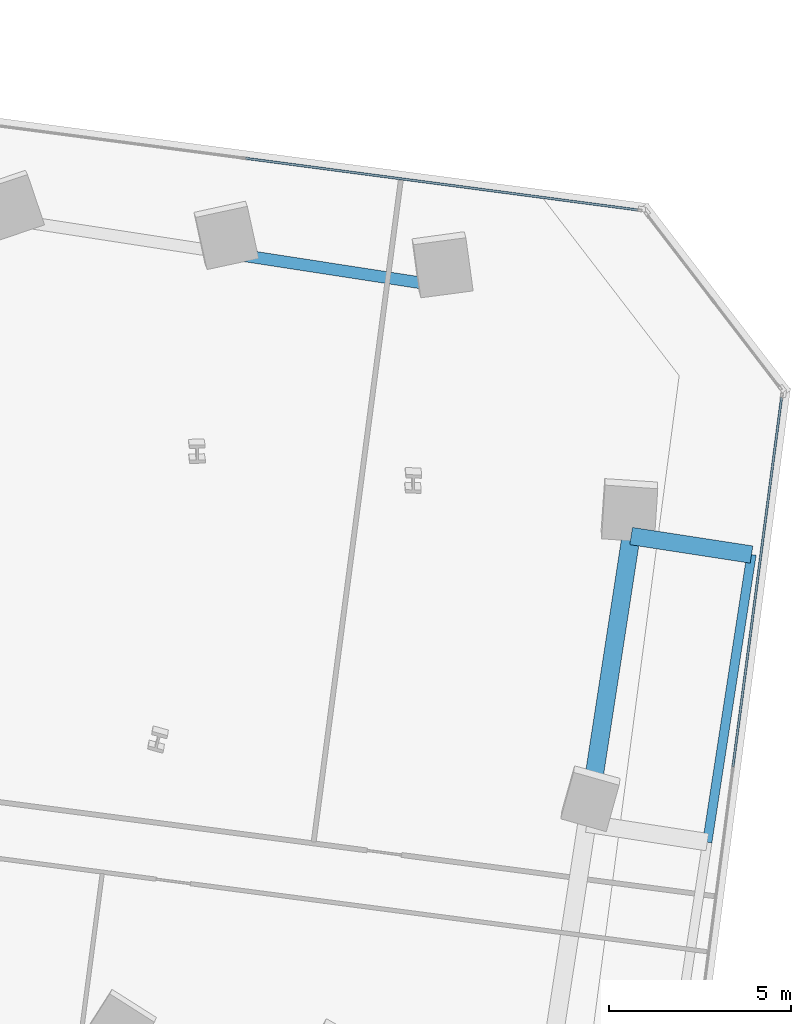
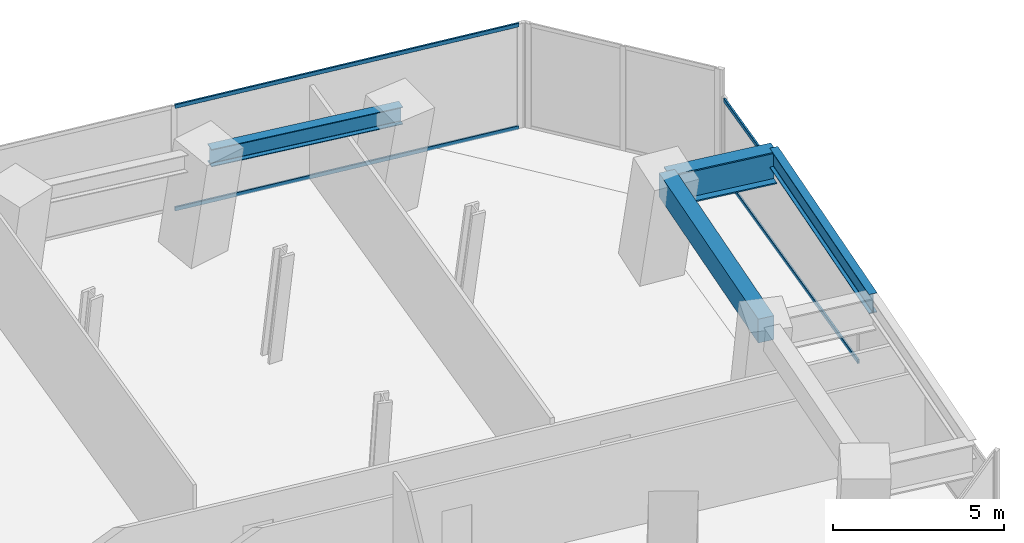
# One storey, part 13 of 24: 4 beams, 4 members, 2 elements without a shape of their own.
"""IFC4 building model written with IfcOpenShell, lengths in metres."""

import ifcopenshell
import ifcopenshell.guid

model = None  # the IFC model being written
_history = None  # IfcOwnerHistory: only IFC2X3 demands one
_inside = {}  # id of a spatial element -> (the spatial element, [elements in it])
_under = {}  # id of a project, library or spatial element -> (it, [spatial elements below it])
_declared = {}  # id of a project -> (the project, [libraries it declares])
_typed = {}  # id of a type object -> (the type object, [elements of that type])
_made_of = {}  # id of a material, layer set ... -> (it, [elements and type objects made of it])


def new_model(schema):
    """Start an empty IFC model of exactly this schema.

    Asked for "IFC4X3", IfcOpenShell would pick the latest addendum, in which some entities
    have other attributes; the version numbers below select the first issue.
    IFC2X3 requires an IfcOwnerHistory on every rooted entity: one is made here for all.
    """
    global model, _history
    if schema == "IFC4X3":
        model = ifcopenshell.file(schema_version=(4, 3, 0, 0))
    else:
        model = ifcopenshell.file(schema=schema)
    _inside.clear()
    _under.clear()
    _declared.clear()
    _typed.clear()
    _made_of.clear()
    _history = None
    if model.schema == "IFC2X3":
        org = make("IfcOrganization", Name="unknown")
        user = make(
            "IfcPersonAndOrganization",
            ThePerson=make("IfcPerson", FamilyName="unknown"),
            TheOrganization=org,
        )
        app = make(
            "IfcApplication",
            ApplicationDeveloper=org,
            Version="unknown",
            ApplicationFullName="unknown",
            ApplicationIdentifier="unknown",
        )
        _history = make(
            "IfcOwnerHistory",
            OwningUser=user,
            OwningApplication=app,
            ChangeAction="ADDED",
            CreationDate=0,
        )
    return model


def make(cls, **values):
    """One entity of the class cls with the attributes given. An attribute that is None is left unset."""
    return model.create_entity(
        cls, **{name: value for name, value in values.items() if value is not None}
    )


def rooted(cls, **values):
    """An entity with a GlobalId (a new one), such as an element, a storey or a relation."""
    return make(cls, GlobalId=ifcopenshell.guid.new(), OwnerHistory=_history, **values)


def si_unit(unit_type, name, prefix=None):
    """IfcSIUnit, for example si_unit("LENGTHUNIT", "METRE", prefix="MILLI")."""
    return make("IfcSIUnit", UnitType=unit_type, Prefix=prefix, Name=name)


def assignment(units):
    """IfcUnitAssignment: the units of a project."""
    return None if units is None else make("IfcUnitAssignment", Units=units)


def point(xyz):
    """IfcCartesianPoint."""
    return None if xyz is None else make("IfcCartesianPoint", Coordinates=xyz)


def direction(xyz):
    """IfcDirection."""
    return None if xyz is None else make("IfcDirection", DirectionRatios=xyz)


def frame(location, z_axis=None, x_axis=None):
    """IfcAxis2Placement3D, a coordinate frame: its origin and axes. An axis left out is left unset."""
    return make(
        "IfcAxis2Placement3D",
        Location=point(location),
        Axis=direction(z_axis),
        RefDirection=direction(x_axis),
    )


def frame_2d(location, x_axis=None):
    """IfcAxis2Placement2D, a coordinate frame in the plane: its origin and x axis."""
    return make(
        "IfcAxis2Placement2D", Location=point(location), RefDirection=direction(x_axis)
    )


def origin():
    """The frame at (0, 0, 0) with its axes left unset."""
    return frame((0.0, 0.0, 0.0))


def origin_2d():
    """The frame at (0, 0) in the plane with its x axis left unset."""
    return frame_2d((0.0, 0.0))


def place(relative_to, where):
    """IfcLocalPlacement: puts the frame where relative to a parent placement (None: the world)."""
    return make(
        "IfcLocalPlacement", PlacementRelTo=relative_to, RelativePlacement=where
    )


def context(
    kind, dimensions, precision=None, world=None, true_north=None, identifier=None
):
    """IfcGeometricRepresentationContext, for example the 3D "Model" context."""
    return make(
        "IfcGeometricRepresentationContext",
        ContextIdentifier=identifier,
        ContextType=kind,
        CoordinateSpaceDimension=dimensions,
        Precision=precision,
        WorldCoordinateSystem=world,
        TrueNorth=true_north,
    )


def subcontext(parent, identifier, kind, view, scale=None):
    """IfcGeometricRepresentationSubContext, for example "Body" below "Model"."""
    return make(
        "IfcGeometricRepresentationSubContext",
        ContextIdentifier=identifier,
        ContextType=kind,
        ParentContext=parent,
        TargetScale=scale,
        TargetView=view,
    )


def project(units=None, contexts=None):
    """IfcProject with its units and contexts."""
    return rooted(
        "IfcProject",
        Name="project",
        RepresentationContexts=contexts,
        UnitsInContext=assignment(units),
    )


def spatial(cls, under=None, at=None, **own):
    """A site, building, storey or space (cls), placed at a placement, below another one or the project."""
    s = rooted(cls, ObjectPlacement=at, **own)
    if under is not None:
        _under.setdefault(under.id(), (under, []))[1].append(s)
    return s


def profile(cls, at=None, kind="AREA", **sizes):
    """A parametric profile (cls). Its sizes go by their IFC names, for example OverallWidth=200.0."""
    return make(cls, ProfileType=kind, Position=at, **sizes)


def rectangle(**sizes):
    """IfcRectangleProfileDef."""
    return profile("IfcRectangleProfileDef", **sizes)


def hollow_rectangle(**sizes):
    """IfcRectangleHollowProfileDef."""
    return profile("IfcRectangleHollowProfileDef", **sizes)


def i_section(**sizes):
    """IfcIShapeProfileDef."""
    return profile("IfcIShapeProfileDef", **sizes)


def extrude(swept, where, along, depth):
    """IfcExtrudedAreaSolid: the profile swept, set in the frame where, extruded along a direction by depth."""
    return make(
        "IfcExtrudedAreaSolid",
        SweptArea=swept,
        Position=where,
        ExtrudedDirection=direction(along),
        Depth=depth,
    )


def shape(context_of_items, identifier, shape_type, items):
    """IfcShapeRepresentation: the items that make up one representation, for example the "Body"."""
    return make(
        "IfcShapeRepresentation",
        ContextOfItems=context_of_items,
        RepresentationIdentifier=identifier,
        RepresentationType=shape_type,
        Items=items,
    )


def source(mapping_origin, context_of_items, identifier, shape_type, items):
    """IfcRepresentationMap: a shape defined once, which mapped items show again and again."""
    return make(
        "IfcRepresentationMap",
        MappingOrigin=mapping_origin,
        MappedRepresentation=shape(context_of_items, identifier, shape_type, items),
    )


def transform(
    local_origin,
    x_axis=None,
    y_axis=None,
    z_axis=None,
    scale=None,
    scale2=None,
    scale3=None,
    uniform=True,
):
    """IfcCartesianTransformationOperator3D, or its non-uniform kind. x_axis, y_axis, z_axis: its Axis1, 2, 3."""
    if uniform:
        return make(
            "IfcCartesianTransformationOperator3D",
            Axis1=direction(x_axis),
            Axis2=direction(y_axis),
            LocalOrigin=point(local_origin),
            Scale=scale,
            Axis3=direction(z_axis),
        )
    return make(
        "IfcCartesianTransformationOperator3DnonUniform",
        Axis1=direction(x_axis),
        Axis2=direction(y_axis),
        LocalOrigin=point(local_origin),
        Scale=scale,
        Axis3=direction(z_axis),
        Scale2=scale2,
        Scale3=scale3,
    )


def mapped(mapping_source, mapping_target):
    """IfcMappedItem: shows the shape of a source again, moved by a transform."""
    return make(
        "IfcMappedItem", MappingSource=mapping_source, MappingTarget=mapping_target
    )


def material(Name=None, Category=None):
    """IfcMaterial."""
    return make("IfcMaterial", Name=Name, Category=Category)


def material_profile(
    of_material, cross_section, Name=None, Category=None, Priority=None
):
    """IfcMaterialProfile: a cross section and its material."""
    return make(
        "IfcMaterialProfile",
        Name=Name,
        Material=of_material,
        Profile=cross_section,
        Priority=Priority,
        Category=Category,
    )


def profile_set(profiles, Name=None, composite=None):
    """IfcMaterialProfileSet."""
    return make(
        "IfcMaterialProfileSet",
        Name=Name,
        MaterialProfiles=profiles,
        CompositeProfile=composite,
    )


def made_of(thing, what):
    """Note that an element or type object is made of a material, layer set ...; save() writes the relation."""
    if what is not None:
        _made_of.setdefault(what.id(), (what, []))[1].append(thing)
    return thing


def type_object(cls, material=None, **own):
    """A type object (cls), such as IfcWallType, which elements share."""
    return made_of(rooted(cls, **own), material)


def element(
    cls,
    number,
    at=None,
    inside=None,
    cuts=None,
    type_object=None,
    material=None,
    context=None,
    identifier="Body",
    shape_type=None,
    held_by="IfcProductDefinitionShape",
    body=None,
    shapes=None,
    **own,
):
    """One element of the class cls, such as IfcWall. Its Tag is "e" and its number.

    at: its placement. inside: the storey or other place that contains it. cuts: it is an
    opening in that element (IfcRelVoidsElement). A single representation is given by context,
    identifier, shape_type and body (its items); several are given by shapes. held_by: the class
    of the entity that holds the representations. save() writes the other relations.
    """
    e = rooted(cls, Tag="e%d" % number, ObjectPlacement=at, **own)
    if body is not None:
        shapes = [shape(context, identifier, shape_type, body)]
    if shapes is not None:
        e.Representation = make(held_by, Representations=shapes)
    if inside is not None:
        _inside.setdefault(inside.id(), (inside, []))[1].append(e)
    if cuts is not None:
        rooted(
            "IfcRelVoidsElement", RelatingBuildingElement=cuts, RelatedOpeningElement=e
        )
    if type_object is not None:
        _typed.setdefault(type_object.id(), (type_object, []))[1].append(e)
    return made_of(e, material)


def aggregate(whole, parts):
    """IfcRelAggregates: a whole, such as a stair, and the parts it consists of."""
    return rooted("IfcRelAggregates", RelatingObject=whole, RelatedObjects=parts)


def save(model, path):
    """Write the relations noted so far, then the file.

    IfcRelAggregates (storeys below a building ...), IfcRelContainedInSpatialStructure (elements
    in a storey), IfcRelDefinesByType, IfcRelAssociatesMaterial and IfcRelDeclares: one each for
    every whole, place, type object, material and project.
    """
    for whole, parts in _under.values():
        aggregate(whole, parts)
    for where, things in _inside.values():
        rooted(
            "IfcRelContainedInSpatialStructure",
            RelatedElements=things,
            RelatingStructure=where,
        )
    for kind, things in _typed.values():
        rooted("IfcRelDefinesByType", RelatedObjects=things, RelatingType=kind)
    for what, things in _made_of.values():
        rooted("IfcRelAssociatesMaterial", RelatedObjects=things, RelatingMaterial=what)
    for by, libraries in _declared.values():
        rooted("IfcRelDeclares", RelatingContext=by, RelatedDefinitions=libraries)
    model.write(path)


model = new_model("IFC4")

# Units and contexts
model_context = context("Model", 3, precision=1e-05, world=origin(), true_north=direction((0.0, 1.0)))
body_context = subcontext(model_context, "Body", "Model", "MODEL_VIEW")
ifc_project = project(units=[si_unit("LENGTHUNIT", "METRE"), si_unit("AREAUNIT", "SQUARE_METRE"), si_unit("VOLUMEUNIT", "CUBIC_METRE"), si_unit("PLANEANGLEUNIT", "RADIAN"), si_unit("MASSUNIT", "GRAM", prefix="KILO")], contexts=[model_context])

# Site, building, storey
site_placement = place(None, origin())
site = spatial("IfcSite", under=ifc_project, at=site_placement, CompositionType="ELEMENT")
building_placement = place(site_placement, origin())
building = spatial("IfcBuilding", under=site, at=building_placement, Name="Torre Montelarca", CompositionType="ELEMENT")
storey_placement = place(building_placement, frame((0.0, 0.0, 66.39990234375)))
storey = spatial("IfcBuildingStorey", under=building, at=storey_placement, Name="L14", CompositionType="ELEMENT", Elevation=66.39990234375)

# Beams
ifc_material_1 = material(Name="Steel ASTM A992 Grade 50", Category="steel")
ifc_material_profile_1 = material_profile(ifc_material_1, i_section(OverallWidth=0.326904296875, OverallDepth=0.6220703125, WebThickness=0.015380859375, FlangeThickness=0.0244140625, FilletRadius=0.014892578125, at=origin_2d()), Name="W610X195", Category="steel")
ifc_profile_set_1 = profile_set([ifc_material_profile_1], Name="Steel ASTM A992 Grade 50")
beam_type_1 = type_object("IfcBeamType", Name="BM-G-W610H", PredefinedType="BEAM", material=ifc_profile_set_1)
shared_shape_1 = source(origin(), body_context, "Body", "SweptSolid", [
    extrude(i_section(OverallWidth=0.326904296875, OverallDepth=0.6220703125, WebThickness=0.015380859375, FlangeThickness=0.0244140625, FilletRadius=0.014892578125, at=origin_2d()), origin(), (0.0, 0.0, 1.0), 6.0),
])
beam_1_placement = place(storey_placement, frame((49.8212890625, 41.805908203125, 3.649169921875), z_axis=(0.988358993292, -0.152139739643, 0.0), x_axis=(0.152139739643, 0.988358993292, 0.0)))
element("IfcBeam", 1, at=beam_1_placement, inside=storey, type_object=beam_type_1, Name="L14 Grid Girder X 48.0-54.0 at Y=46.0", PredefinedType="BEAM", context=body_context, shape_type="MappedRepresentation", body=[
    mapped(shared_shape_1, transform((0.0, 0.0, 0.0), scale=1.0)),
])
ifc_material_2 = material(Name="Concrete C55/67", Category="concrete")
ifc_material_profile_2 = material_profile(ifc_material_2, rectangle(XDim=0.5, YDim=0.85009765625, at=origin_2d()), Name="RCB500X850", Category="concrete")
ifc_profile_set_2 = profile_set([ifc_material_profile_2], Name="Concrete C55/67")
beam_type_2 = type_object("IfcBeamType", Name="BM-SP-RC850-EXT", PredefinedType="SPANDREL", material=ifc_profile_set_2)
shared_shape_2 = source(origin(), body_context, "Body", "SweptSolid", [
    extrude(rectangle(XDim=0.5, YDim=0.85009765625, at=origin_2d()), origin(), (0.0, 0.0, 1.0), 7.999755859375),
])
beam_2_placement = place(storey_placement, frame((59.552001953125, 26.143310546875, 3.53515625), z_axis=(0.152103049696, 0.988364640339, 0.0), x_axis=(-0.988364640339, 0.152103049696, 0.0)))
element("IfcBeam", 2, at=beam_2_placement, inside=storey, type_object=beam_type_2, Name="L14 Grid Girder Y 32.0-40.0 at X=60.0", PredefinedType="SPANDREL", context=body_context, shape_type="MappedRepresentation", body=[
    mapped(shared_shape_2, transform((0.0, 0.0, 0.0), scale=1.0)),
])
ifc_material_3 = material(Name="Steel ASTM A572 Grade 50", Category="steel")
ifc_material_profile_3 = material_profile(ifc_material_3, i_section(OverallWidth=0.47998046875, OverallDepth=1.14990234375, WebThickness=0.02197265625, FlangeThickness=0.044921875, at=origin_2d()), Name="PG1150X480X22X45", Category="steel")
ifc_profile_set_3 = profile_set([ifc_material_profile_3], Name="Steel ASTM A572 Grade 50")
beam_type_3 = type_object("IfcBeamType", Name="BM-CG-PG1400-EXT", PredefinedType="USERDEFINED", material=ifc_profile_set_3)
shared_shape_3 = source(origin(), body_context, "Body", "SweptSolid", [
    extrude(i_section(OverallWidth=0.47998046875, OverallDepth=1.14990234375, WebThickness=0.02197265625, FlangeThickness=0.044921875, at=origin_2d()), origin(), (0.0, 0.0, 1.0), 3.35009765625),
])
beam_3_placement = place(storey_placement, frame((60.768798828125, 34.050048828125, 3.385009765625), z_axis=(0.988365799299, -0.152095518591, 0.0), x_axis=(0.152095518591, 0.988365799299, 0.0)))
element("IfcBeam", 3, at=beam_3_placement, inside=storey, type_object=beam_type_3, Name="L14 Sliding Tray Cantilever Girder East Y=40m (FLR)", ObjectType="CANTILEVER GIRDER", PredefinedType="USERDEFINED", context=body_context, shape_type="MappedRepresentation", body=[
    mapped(shared_shape_3, transform((0.0, 0.0, 0.0), scale=1.0)),
])
ifc_material_profile_4 = material_profile(ifc_material_1, i_section(OverallWidth=0.256103515625, OverallDepth=0.693115234375, WebThickness=0.014404296875, FlangeThickness=0.023681640625, FilletRadius=0.01806640625, at=origin_2d()), Name="W690X170", Category="steel")
ifc_profile_set_4 = profile_set([ifc_material_profile_4], Name="Steel ASTM A992 Grade 50")
beam_type_4 = type_object("IfcBeamType", Name="BM-G-W690-EXT", PredefinedType="BEAM", material=ifc_profile_set_4)
shared_shape_4 = source(origin(), body_context, "Body", "SweptSolid", [
    extrude(i_section(OverallWidth=0.256103515625, OverallDepth=0.693115234375, WebThickness=0.014404296875, FlangeThickness=0.023681640625, FilletRadius=0.01806640625, at=origin_2d()), origin(), (0.0, 0.0, 1.0), 8.0),
])
beam_4_placement = place(storey_placement, frame((62.86279296875, 25.633544921875, 3.614013671875), z_axis=(0.152128273075, 0.988360758292, 0.0), x_axis=(-0.988360758292, 0.152128273075, 0.0)))
element("IfcBeam", 4, at=beam_4_placement, inside=storey, type_object=beam_type_4, Name="L14 Sliding Tray Edge Girder East 32-40m (FLR)", PredefinedType="BEAM", context=body_context, shape_type="MappedRepresentation", body=[
    mapped(shared_shape_4, transform((0.0, 0.0, 0.0), scale=1.0)),
])

# Curtain wall, members
ifc_material_4 = material(Name="Insulated low-E laminated glass", Category="glass")
curtain_wall_type = type_object("IfcCurtainWallType", Name="CW-SYS-Z1", PredefinedType="USERDEFINED", material=ifc_material_4)
curtain_wall_1_placement = place(storey_placement, origin())
curtain_wall_1 = element("IfcCurtainWall", 5, at=curtain_wall_1_placement, inside=storey, type_object=curtain_wall_type, Name="L14 Curtain Wall Run CW-T3-L14-E06-B1", ObjectType="UNITISED GLAZING", PredefinedType="USERDEFINED")
ifc_material_5 = material(Name="Anodised aluminium AA 6063-T6", Category="aluminium")
ifc_material_profile_5 = material_profile(ifc_material_5, hollow_rectangle(XDim=0.06494140625, YDim=0.139892578125, WallThickness=0.00390625, InnerFilletRadius=0.00390625, OuterFilletRadius=0.008056640625, at=origin_2d()), Name="ALU65X140X4", Category="aluminium")
ifc_profile_set_5 = profile_set([ifc_material_profile_5], Name="Anodised aluminium AA 6063-T6")
member_type = type_object("IfcMemberType", Name="CWT-ALU140", PredefinedType="USERDEFINED", material=ifc_profile_set_5)
shared_shape_5 = source(origin(), body_context, "Body", "SweptSolid", [
    extrude(hollow_rectangle(XDim=0.06494140625, YDim=0.139892578125, WallThickness=0.00390625, InnerFilletRadius=0.00390625, OuterFilletRadius=0.008056640625, at=origin_2d()), origin(), (0.0, 0.0, 1.0), 10.23681640625),
])
member_1_placement = place(storey_placement, frame((63.5693359375, 27.70458984375, 0.03271484375), z_axis=(0.130504484341, 0.991447719029, 0.0), x_axis=(-0.991447719029, 0.130504484341, 0.0)))
member_1 = element("IfcMember", 6, at=member_1_placement, type_object=member_type, Name="CW transom 2.1", ObjectType="TRANSOM", PredefinedType="USERDEFINED", context=body_context, shape_type="MappedRepresentation", body=[
    mapped(shared_shape_5, transform((0.0, 0.0, 0.0), scale=1.0)),
])
member_2_placement = place(storey_placement, frame((63.5693359375, 27.70458984375, 2.74267578125), z_axis=(0.130504484341, 0.991447719029, 0.0), x_axis=(-0.991447719029, 0.130504484341, 0.0)))
member_2 = element("IfcMember", 7, at=member_2_placement, type_object=member_type, Name="CW transom 2.2", ObjectType="TRANSOM", PredefinedType="USERDEFINED", context=body_context, shape_type="MappedRepresentation", body=[
    mapped(shared_shape_5, transform((0.0, 0.0, 0.0), scale=1.0)),
])
aggregate(curtain_wall_1, [member_1, member_2])

curtain_wall_2_placement = place(storey_placement, origin())
curtain_wall_2 = element("IfcCurtainWall", 8, at=curtain_wall_2_placement, inside=storey, type_object=curtain_wall_type, Name="L14 Curtain Wall Run CW-T3-L14-E08-B1", ObjectType="UNITISED GLAZING", PredefinedType="USERDEFINED")
shared_shape_6 = source(origin(), body_context, "Body", "SweptSolid", [
    extrude(hollow_rectangle(XDim=0.06494140625, YDim=0.139892578125, WallThickness=0.00390625, InnerFilletRadius=0.00390625, OuterFilletRadius=0.008056640625, at=origin_2d()), origin(), (0.0, 0.0, 1.0), 10.872802734375),
])
member_3_placement = place(storey_placement, frame((60.9443359375, 43.015869140625, 0.03271484375), z_axis=(-0.991444815981, 0.130526537014, 0.0), x_axis=(-0.130526537014, -0.991444815981, 0.0)))
member_3 = element("IfcMember", 9, at=member_3_placement, type_object=member_type, Name="CW transom 1.1", ObjectType="TRANSOM", PredefinedType="USERDEFINED", context=body_context, shape_type="MappedRepresentation", body=[
    mapped(shared_shape_6, transform((0.0, 0.0, 0.0), scale=1.0)),
])
member_4_placement = place(storey_placement, frame((60.9443359375, 43.015869140625, 3.6875), z_axis=(-0.991444815981, 0.130526537014, 0.0), x_axis=(-0.130526537014, -0.991444815981, 0.0)))
member_4 = element("IfcMember", 10, at=member_4_placement, type_object=member_type, Name="CW transom 1.2", ObjectType="TRANSOM", PredefinedType="USERDEFINED", context=body_context, shape_type="MappedRepresentation", body=[
    mapped(shared_shape_6, transform((0.0, 0.0, 0.0), scale=1.0)),
])
aggregate(curtain_wall_2, [member_3, member_4])

save(model, "model.ifc")
